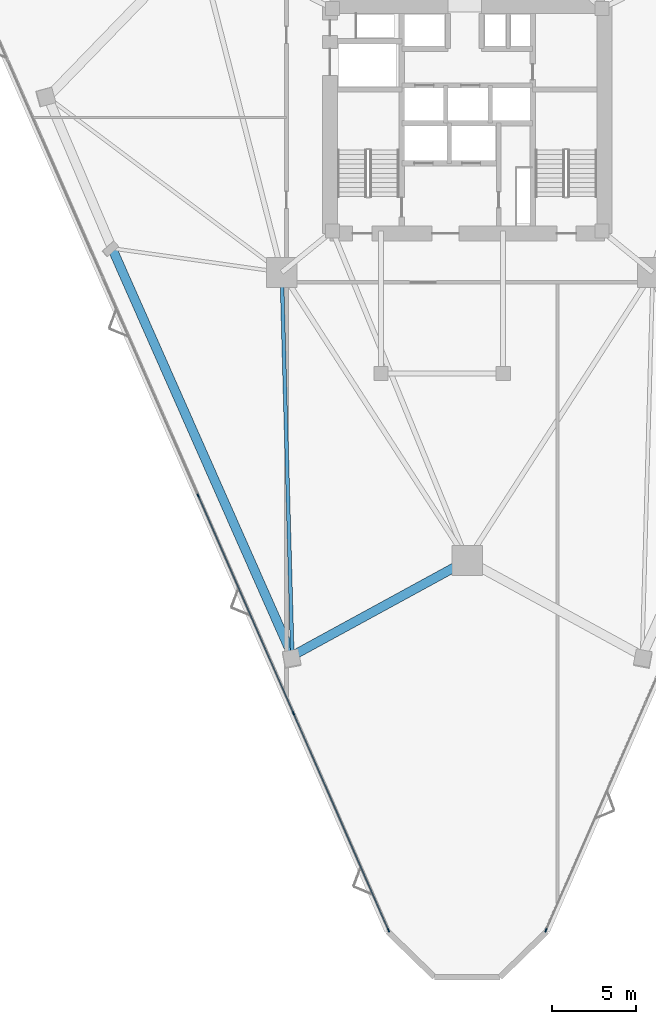
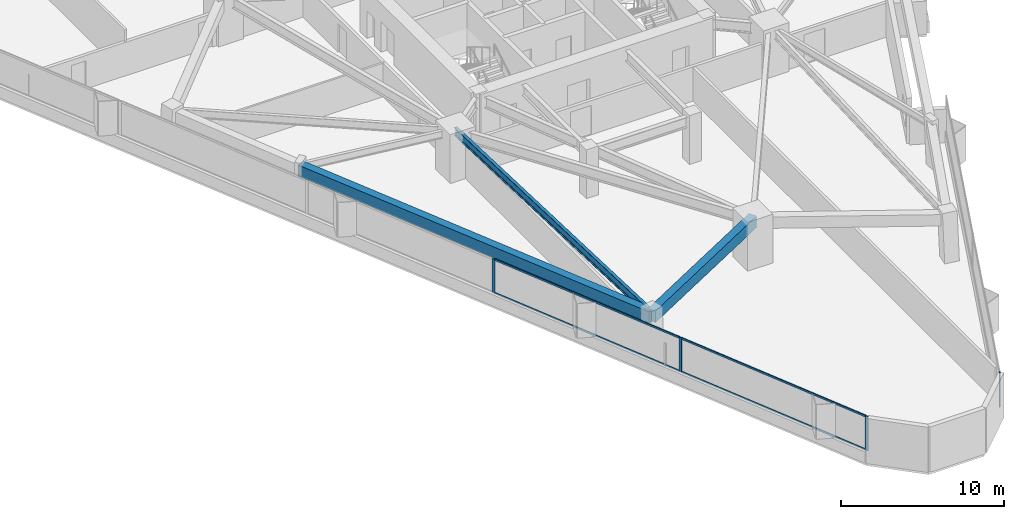
# One storey, part 2 of 14: 8 members, 3 beams, 2 elements without a shape of their own.
"""IFC4 building model written with IfcOpenShell, lengths in metres."""

from ifc_helpers import new_model, si_unit, direction, frame, origin, origin_2d, place, context, subcontext, project, spatial, rectangle, i_section, extrude, material, layer, layer_set, material_profile, profile_set, type_object, element, aggregate, save


model = new_model("IFC4")

# Units and contexts
model_context = context("Model", 3, precision=1e-05, world=origin(), true_north=direction((0.0, 1.0)))
body_context = subcontext(model_context, "Body", "Model", "MODEL_VIEW")
ifc_project = project(units=[si_unit("LENGTHUNIT", "METRE"), si_unit("AREAUNIT", "SQUARE_METRE"), si_unit("VOLUMEUNIT", "CUBIC_METRE"), si_unit("PLANEANGLEUNIT", "RADIAN"), si_unit("MASSUNIT", "GRAM", prefix="KILO")], contexts=[model_context])

# Site, building, storey
site_placement = place(None, origin())
site = spatial("IfcSite", under=ifc_project, at=site_placement, CompositionType="ELEMENT")
building_placement = place(site_placement, origin())
building = spatial("IfcBuilding", under=site, at=building_placement, Name="Talyreon Biosciences Tower", CompositionType="ELEMENT")
storey_placement = place(building_placement, frame((0.0, 0.0, 52.0)))
storey = spatial("IfcBuildingStorey", under=building, at=storey_placement, Name="L13", CompositionType="ELEMENT", Elevation=52.0)

# Curtain wall, member
ifc_material_1 = material(Name="Thermally broken aluminium and low-E glazing", Category="aluminium")
ifc_layer = layer(ifc_material_1, 0.205078125)
ifc_layer_set = layer_set([ifc_layer], Name="Thermally broken aluminium and low-E glazing")
curtain_wall_type = type_object("IfcCurtainWallType", Name="CurtainWall_SkyGardenLoggia", PredefinedType="NOTDEFINED", material=ifc_layer_set)
curtain_wall_1_placement = place(storey_placement, origin())
curtain_wall_1 = element("IfcCurtainWall", 1, at=curtain_wall_1_placement, inside=storey, type_object=curtain_wall_type, Name="L13 Unitised Curtain Wall FCW-L13-11", PredefinedType="NOTDEFINED")
ifc_material_2 = material(Name="Anodised thermally broken aluminium", Category="aluminium")
ifc_material_profile_1 = material_profile(ifc_material_2, rectangle(XDim=0.074951171875, YDim=0.2099609375, at=origin_2d()), Name="ALUM MULLION 75x210")
ifc_profile_set_1 = profile_set([ifc_material_profile_1], Name="Anodised thermally broken aluminium")
member_type_1 = type_object("IfcMemberType", Name="CWMullion_75x210", PredefinedType="MULLION", material=ifc_profile_set_1)
member_1_placement = place(storey_placement, frame((70.705078125, 19.556640625, 0.81005859375), z_axis=(0.0, 0.0, 1.0), x_axis=(0.916035598289, -0.401096974143, 0.0)))
member_1 = element("IfcMember", 2, at=member_1_placement, type_object=member_type_1, Name="CW7 mullion 3", PredefinedType="MULLION", context=body_context, shape_type="SweptSolid", body=[
    extrude(rectangle(XDim=0.074951171875, YDim=0.2099609375, at=origin_2d()), origin(), (0.0, 0.0, 1.0), 2.56494140625),
])
aggregate(curtain_wall_1, [member_1])

# Curtain wall, members
curtain_wall_2_placement = place(storey_placement, origin())
curtain_wall_2 = element("IfcCurtainWall", 3, at=curtain_wall_2_placement, inside=storey, type_object=curtain_wall_type, Name="L13 Unitised Curtain Wall FCW-L13-15", PredefinedType="NOTDEFINED")
member_2_placement = place(storey_placement, frame((61.294921875, 19.556640625, 0.81005859375), z_axis=(0.0, 0.0, 1.0), x_axis=(-0.916035471245, -0.40109726429, 0.0)))
member_2 = element("IfcMember", 4, at=member_2_placement, type_object=member_type_1, Name="CW7 mullion 1", PredefinedType="MULLION", context=body_context, shape_type="SweptSolid", body=[
    extrude(rectangle(XDim=0.074951171875, YDim=0.2099609375, at=origin_2d()), origin(), (0.0, 0.0, 1.0), 2.56494140625),
])
member_3_placement = place(storey_placement, frame((55.61376953125, 32.53125, 0.81005859375), z_axis=(0.0, 0.0, 1.0), x_axis=(-0.916035471245, -0.40109726429, 0.0)))
member_3 = element("IfcMember", 5, at=member_3_placement, type_object=member_type_1, Name="CW7 mullion 2", PredefinedType="MULLION", context=body_context, shape_type="SweptSolid", body=[
    extrude(rectangle(XDim=0.074951171875, YDim=0.2099609375, at=origin_2d()), origin(), (0.0, 0.0, 1.0), 2.56494140625),
])
member_4_placement = place(storey_placement, frame((49.917724609375, 45.5400390625, 0.81005859375), z_axis=(0.0, 0.0, 1.0), x_axis=(-0.916035471245, -0.40109726429, 0.0)))
member_4 = element("IfcMember", 6, at=member_4_placement, type_object=member_type_1, Name="CW7 mullion 3", PredefinedType="MULLION", context=body_context, shape_type="SweptSolid", body=[
    extrude(rectangle(XDim=0.074951171875, YDim=0.2099609375, at=origin_2d()), origin(), (0.0, 0.0, 1.0), 2.56494140625),
])
ifc_material_profile_2 = material_profile(ifc_material_2, rectangle(XDim=0.06494140625, YDim=0.139892578125, at=origin_2d()), Name="ALUM TRANSOM 65x140")
ifc_profile_set_2 = profile_set([ifc_material_profile_2], Name="Anodised thermally broken aluminium")
member_type_2 = type_object("IfcMemberType", Name="CWTransom_65x140", PredefinedType="USERDEFINED", material=ifc_profile_set_2)
member_5_placement = place(storey_placement, frame((61.27978515625, 19.5908203125, 0.842529296875), z_axis=(-0.401086983506, 0.916039972742, 0.0), x_axis=(-0.916039972742, -0.401086983506, 0.0)))
member_5 = element("IfcMember", 7, at=member_5_placement, type_object=member_type_2, Name="CW7 transom 1.1", ObjectType="TRANSOM", PredefinedType="USERDEFINED", context=body_context, shape_type="SweptSolid", body=[
    extrude(rectangle(XDim=0.06494140625, YDim=0.139892578125, at=origin_2d()), origin(), (0.0, 0.0, 1.0), 14.0888671875),
])
member_6_placement = place(storey_placement, frame((61.27978515625, 19.5908203125, 3.342529296875), z_axis=(-0.401086983506, 0.916039972742, 0.0), x_axis=(-0.916039972742, -0.401086983506, 0.0)))
member_6 = element("IfcMember", 8, at=member_6_placement, type_object=member_type_2, Name="CW7 transom 1.2", ObjectType="TRANSOM", PredefinedType="USERDEFINED", context=body_context, shape_type="SweptSolid", body=[
    extrude(rectangle(XDim=0.06494140625, YDim=0.139892578125, at=origin_2d()), origin(), (0.0, 0.0, 1.0), 14.0888671875),
])
member_7_placement = place(storey_placement, frame((55.5986328125, 32.5654296875, 0.842529296875), z_axis=(-0.401090802253, 0.916038300699, 0.0), x_axis=(-0.916038300699, -0.401090802253, 0.0)))
member_7 = element("IfcMember", 9, at=member_7_placement, type_object=member_type_2, Name="CW7 transom 2.1", ObjectType="TRANSOM", PredefinedType="USERDEFINED", context=body_context, shape_type="SweptSolid", body=[
    extrude(rectangle(XDim=0.06494140625, YDim=0.139892578125, at=origin_2d()), origin(), (0.0, 0.0, 1.0), 14.12646484375),
])
member_8_placement = place(storey_placement, frame((55.5986328125, 32.5654296875, 3.342529296875), z_axis=(-0.401090802253, 0.916038300699, 0.0), x_axis=(-0.916038300699, -0.401090802253, 0.0)))
member_8 = element("IfcMember", 10, at=member_8_placement, type_object=member_type_2, Name="CW7 transom 2.2", ObjectType="TRANSOM", PredefinedType="USERDEFINED", context=body_context, shape_type="SweptSolid", body=[
    extrude(rectangle(XDim=0.06494140625, YDim=0.139892578125, at=origin_2d()), origin(), (0.0, 0.0, 1.0), 14.12646484375),
])
aggregate(curtain_wall_2, [member_2, member_3, member_4, member_5, member_6, member_7, member_8])

# Beams
ifc_material_3 = material(Name="Precast concrete C45/55", Category="concrete")
ifc_material_profile_3 = material_profile(ifc_material_3, rectangle(XDim=0.550048828125, YDim=0.85009765625, at=origin_2d()), Name="RCB 550x850")
ifc_profile_set_3 = profile_set([ifc_material_profile_3], Name="Precast concrete C45/55")
beam_type_1 = type_object("IfcBeamType", Name="ExpressedSpandrel_550x850", PredefinedType="SPANDREL", material=ifc_profile_set_3)
beam_1_placement = place(storey_placement, frame((44.77392578125, 60.315673828125, 2.949951171875), z_axis=(0.404445117502, -0.914562270668, 0.0), x_axis=(0.914562270668, 0.404445117502, 0.0)))
element("IfcBeam", 11, at=beam_1_placement, inside=storey, type_object=beam_type_1, Name="L13 Expressed Horizontal Concrete Spandrel 11", PredefinedType="SPANDREL", context=body_context, shape_type="SweptSolid", body=[
    extrude(rectangle(XDim=0.550048828125, YDim=0.85009765625, at=origin_2d()), origin(), (0.0, 0.0, 1.0), 26.631591796875),
])
beam_2_placement = place(storey_placement, frame((55.544921875, 35.95947265625, 2.949951171875), z_axis=(0.877727894416, 0.479159413311, 0.0), x_axis=(-0.479159413311, 0.877727894416, 0.0)))
element("IfcBeam", 12, at=beam_2_placement, inside=storey, type_object=beam_type_1, Name="L13 Expressed Horizontal Concrete Spandrel 12", PredefinedType="SPANDREL", context=body_context, shape_type="SweptSolid", body=[
    extrude(rectangle(XDim=0.550048828125, YDim=0.85009765625, at=origin_2d()), origin(), (0.0, 0.0, 1.0), 11.91162109375),
])
ifc_material_4 = material(Name="Steel SM355", Category="steel")
ifc_material_profile_4 = material_profile(ifc_material_4, i_section(OverallWidth=0.219970703125, OverallDepth=0.60009765625, WebThickness=0.011962890625, FlangeThickness=0.01904296875, FilletRadius=0.02392578125, at=origin_2d()), Name="IPE600")
ifc_profile_set_4 = profile_set([ifc_material_profile_4], Name="Steel SM355")
beam_type_2 = type_object("IfcBeamType", Name="SteelJoist_IPE600", PredefinedType="JOIST", material=ifc_profile_set_4)
beam_3_placement = place(storey_placement, frame((54.913818359375, 58.88037109375, 3.074951171875), z_axis=(0.027523547002, -0.999621155419, 0.0), x_axis=(0.999621155419, 0.027523547002, 0.0)))
element("IfcBeam", 13, at=beam_3_placement, inside=storey, type_object=beam_type_2, Name="L13 Radial Composite Floor Joist PC-SW2", PredefinedType="JOIST", context=body_context, shape_type="SweptSolid", body=[
    extrude(i_section(OverallWidth=0.219970703125, OverallDepth=0.60009765625, WebThickness=0.011962890625, FlangeThickness=0.01904296875, FilletRadius=0.02392578125, at=origin_2d()), origin(), (0.0, 0.0, 1.0), 22.9296875),
])

save(model, "model.ifc")
